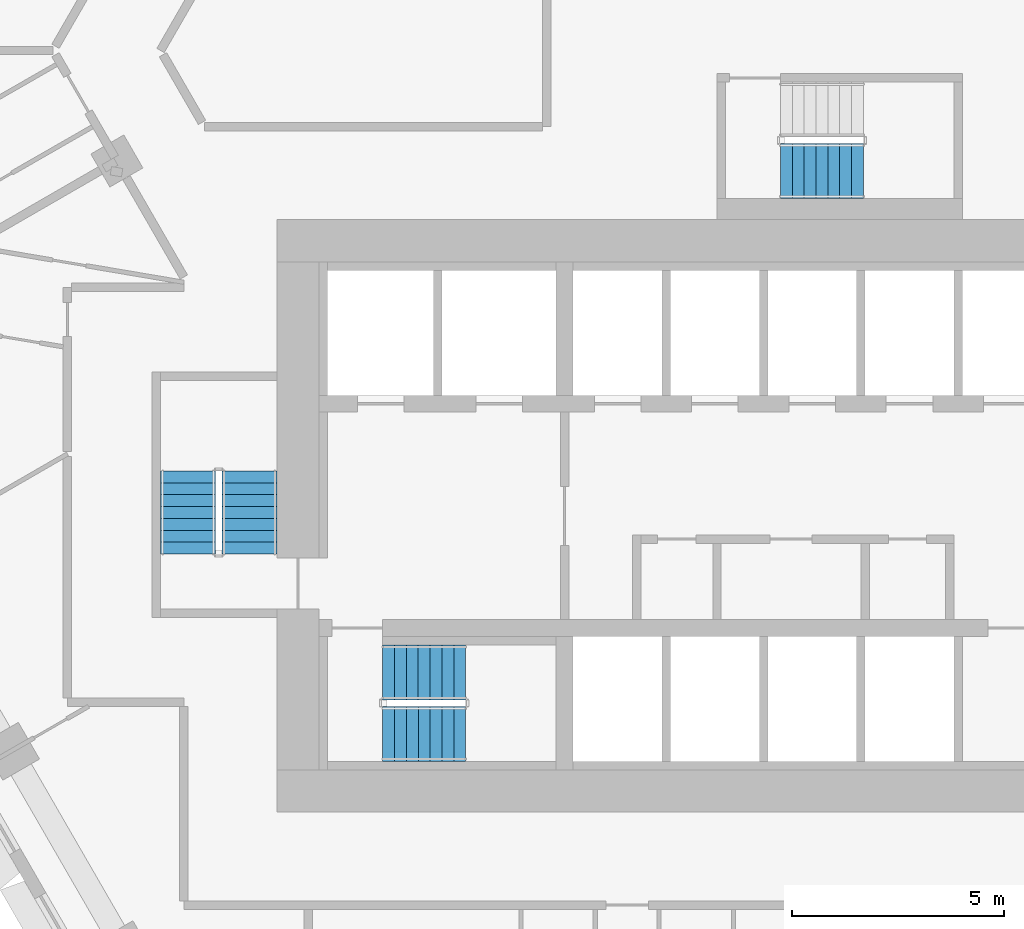
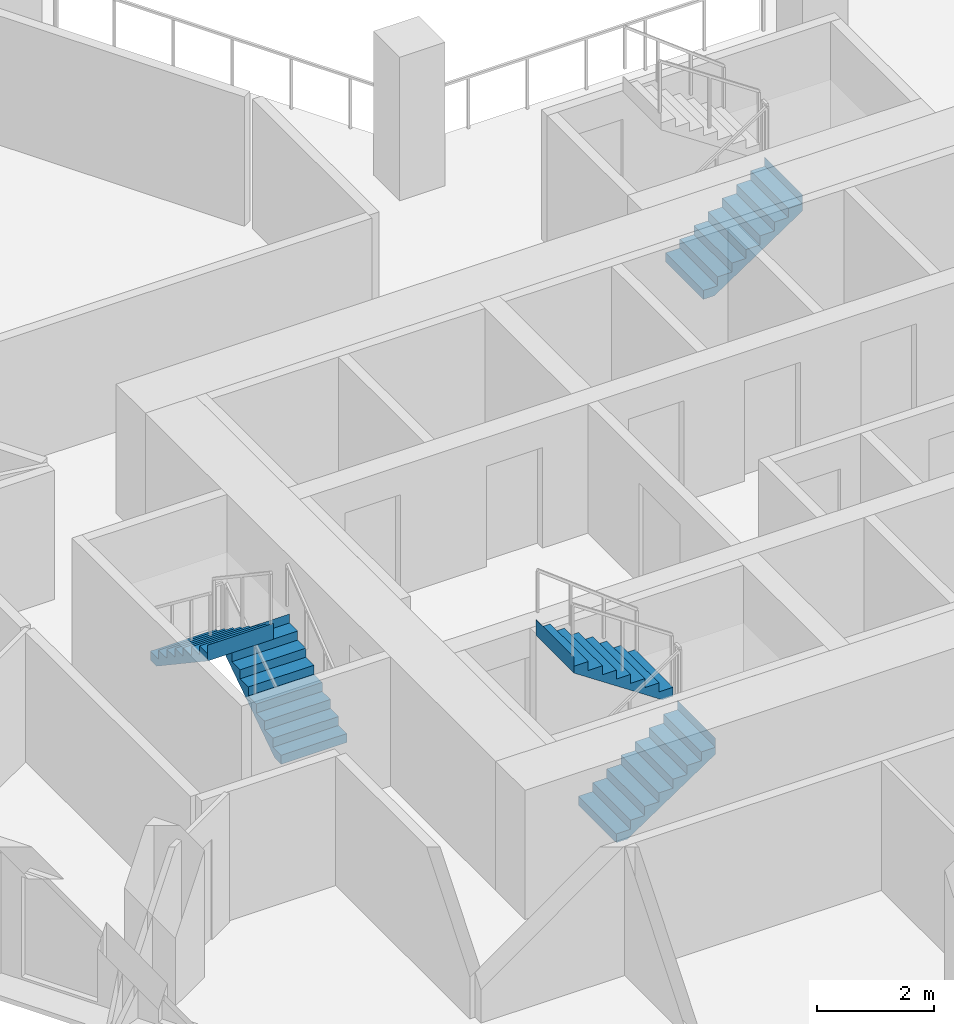
# One storey, part 13 of 18: 5 stair flights, 3 elements without a shape of their own.
"""IFC4 building model written with IfcOpenShell, lengths in metres."""

import ifcopenshell
import ifcopenshell.guid

model = None  # the IFC model being written
_history = None  # IfcOwnerHistory: only IFC2X3 demands one
_inside = {}  # id of a spatial element -> (the spatial element, [elements in it])
_under = {}  # id of a project, library or spatial element -> (it, [spatial elements below it])
_declared = {}  # id of a project -> (the project, [libraries it declares])
_typed = {}  # id of a type object -> (the type object, [elements of that type])
_made_of = {}  # id of a material, layer set ... -> (it, [elements and type objects made of it])


def new_model(schema):
    """Start an empty IFC model of exactly this schema.

    Asked for "IFC4X3", IfcOpenShell would pick the latest addendum, in which some entities
    have other attributes; the version numbers below select the first issue.
    IFC2X3 requires an IfcOwnerHistory on every rooted entity: one is made here for all.
    """
    global model, _history
    if schema == "IFC4X3":
        model = ifcopenshell.file(schema_version=(4, 3, 0, 0))
    else:
        model = ifcopenshell.file(schema=schema)
    _inside.clear()
    _under.clear()
    _declared.clear()
    _typed.clear()
    _made_of.clear()
    _history = None
    if model.schema == "IFC2X3":
        org = make("IfcOrganization", Name="unknown")
        user = make(
            "IfcPersonAndOrganization",
            ThePerson=make("IfcPerson", FamilyName="unknown"),
            TheOrganization=org,
        )
        app = make(
            "IfcApplication",
            ApplicationDeveloper=org,
            Version="unknown",
            ApplicationFullName="unknown",
            ApplicationIdentifier="unknown",
        )
        _history = make(
            "IfcOwnerHistory",
            OwningUser=user,
            OwningApplication=app,
            ChangeAction="ADDED",
            CreationDate=0,
        )
    return model


def make(cls, **values):
    """One entity of the class cls with the attributes given. An attribute that is None is left unset."""
    return model.create_entity(
        cls, **{name: value for name, value in values.items() if value is not None}
    )


def rooted(cls, **values):
    """An entity with a GlobalId (a new one), such as an element, a storey or a relation."""
    return make(cls, GlobalId=ifcopenshell.guid.new(), OwnerHistory=_history, **values)


def si_unit(unit_type, name, prefix=None):
    """IfcSIUnit, for example si_unit("LENGTHUNIT", "METRE", prefix="MILLI")."""
    return make("IfcSIUnit", UnitType=unit_type, Prefix=prefix, Name=name)


def assignment(units):
    """IfcUnitAssignment: the units of a project."""
    return None if units is None else make("IfcUnitAssignment", Units=units)


def point(xyz):
    """IfcCartesianPoint."""
    return None if xyz is None else make("IfcCartesianPoint", Coordinates=xyz)


def direction(xyz):
    """IfcDirection."""
    return None if xyz is None else make("IfcDirection", DirectionRatios=xyz)


def frame(location, z_axis=None, x_axis=None):
    """IfcAxis2Placement3D, a coordinate frame: its origin and axes. An axis left out is left unset."""
    return make(
        "IfcAxis2Placement3D",
        Location=point(location),
        Axis=direction(z_axis),
        RefDirection=direction(x_axis),
    )


def origin():
    """The frame at (0, 0, 0) with its axes left unset."""
    return frame((0.0, 0.0, 0.0))


def place(relative_to, where):
    """IfcLocalPlacement: puts the frame where relative to a parent placement (None: the world)."""
    return make(
        "IfcLocalPlacement", PlacementRelTo=relative_to, RelativePlacement=where
    )


def context(
    kind, dimensions, precision=None, world=None, true_north=None, identifier=None
):
    """IfcGeometricRepresentationContext, for example the 3D "Model" context."""
    return make(
        "IfcGeometricRepresentationContext",
        ContextIdentifier=identifier,
        ContextType=kind,
        CoordinateSpaceDimension=dimensions,
        Precision=precision,
        WorldCoordinateSystem=world,
        TrueNorth=true_north,
    )


def subcontext(parent, identifier, kind, view, scale=None):
    """IfcGeometricRepresentationSubContext, for example "Body" below "Model"."""
    return make(
        "IfcGeometricRepresentationSubContext",
        ContextIdentifier=identifier,
        ContextType=kind,
        ParentContext=parent,
        TargetScale=scale,
        TargetView=view,
    )


def project(units=None, contexts=None):
    """IfcProject with its units and contexts."""
    return rooted(
        "IfcProject",
        Name="project",
        RepresentationContexts=contexts,
        UnitsInContext=assignment(units),
    )


def spatial(cls, under=None, at=None, **own):
    """A site, building, storey or space (cls), placed at a placement, below another one or the project."""
    s = rooted(cls, ObjectPlacement=at, **own)
    if under is not None:
        _under.setdefault(under.id(), (under, []))[1].append(s)
    return s


def point_list(points):
    """IfcCartesianPointList2D or 3D."""
    cls = (
        "IfcCartesianPointList2D" if len(points[0]) == 2 else "IfcCartesianPointList3D"
    )
    return make(cls, CoordList=points)


def triangles(points, corners, closed=None, point_numbers=None):
    """IfcTriangulatedFaceSet: each triangle names its three corners, points numbered from 1."""
    return make(
        "IfcTriangulatedFaceSet",
        Coordinates=point_list(points),
        Closed=closed,
        CoordIndex=corners,
        PnIndex=point_numbers,
    )


def shape(context_of_items, identifier, shape_type, items):
    """IfcShapeRepresentation: the items that make up one representation, for example the "Body"."""
    return make(
        "IfcShapeRepresentation",
        ContextOfItems=context_of_items,
        RepresentationIdentifier=identifier,
        RepresentationType=shape_type,
        Items=items,
    )


def material(Name=None, Category=None):
    """IfcMaterial."""
    return make("IfcMaterial", Name=Name, Category=Category)


def made_of(thing, what):
    """Note that an element or type object is made of a material, layer set ...; save() writes the relation."""
    if what is not None:
        _made_of.setdefault(what.id(), (what, []))[1].append(thing)
    return thing


def type_object(cls, material=None, **own):
    """A type object (cls), such as IfcWallType, which elements share."""
    return made_of(rooted(cls, **own), material)


def element(
    cls,
    number,
    at=None,
    inside=None,
    cuts=None,
    type_object=None,
    material=None,
    context=None,
    identifier="Body",
    shape_type=None,
    held_by="IfcProductDefinitionShape",
    body=None,
    shapes=None,
    **own,
):
    """One element of the class cls, such as IfcWall. Its Tag is "e" and its number.

    at: its placement. inside: the storey or other place that contains it. cuts: it is an
    opening in that element (IfcRelVoidsElement). A single representation is given by context,
    identifier, shape_type and body (its items); several are given by shapes. held_by: the class
    of the entity that holds the representations. save() writes the other relations.
    """
    e = rooted(cls, Tag="e%d" % number, ObjectPlacement=at, **own)
    if body is not None:
        shapes = [shape(context, identifier, shape_type, body)]
    if shapes is not None:
        e.Representation = make(held_by, Representations=shapes)
    if inside is not None:
        _inside.setdefault(inside.id(), (inside, []))[1].append(e)
    if cuts is not None:
        rooted(
            "IfcRelVoidsElement", RelatingBuildingElement=cuts, RelatedOpeningElement=e
        )
    if type_object is not None:
        _typed.setdefault(type_object.id(), (type_object, []))[1].append(e)
    return made_of(e, material)


def aggregate(whole, parts):
    """IfcRelAggregates: a whole, such as a stair, and the parts it consists of."""
    return rooted("IfcRelAggregates", RelatingObject=whole, RelatedObjects=parts)


def save(model, path):
    """Write the relations noted so far, then the file.

    IfcRelAggregates (storeys below a building ...), IfcRelContainedInSpatialStructure (elements
    in a storey), IfcRelDefinesByType, IfcRelAssociatesMaterial and IfcRelDeclares: one each for
    every whole, place, type object, material and project.
    """
    for whole, parts in _under.values():
        aggregate(whole, parts)
    for where, things in _inside.values():
        rooted(
            "IfcRelContainedInSpatialStructure",
            RelatedElements=things,
            RelatingStructure=where,
        )
    for kind, things in _typed.values():
        rooted("IfcRelDefinesByType", RelatedObjects=things, RelatingType=kind)
    for what, things in _made_of.values():
        rooted("IfcRelAssociatesMaterial", RelatedObjects=things, RelatingMaterial=what)
    for by, libraries in _declared.values():
        rooted("IfcRelDeclares", RelatingContext=by, RelatedDefinitions=libraries)
    model.write(path)


model = new_model("IFC4")

# Units and contexts
model_context = context("Model", 3, precision=1e-05, world=origin(), true_north=direction((0.0, 1.0)))
body_context = subcontext(model_context, "Body", "Model", "MODEL_VIEW")
ifc_project = project(units=[si_unit("LENGTHUNIT", "METRE"), si_unit("AREAUNIT", "SQUARE_METRE"), si_unit("VOLUMEUNIT", "CUBIC_METRE"), si_unit("PLANEANGLEUNIT", "RADIAN"), si_unit("MASSUNIT", "GRAM", prefix="KILO")], contexts=[model_context])

# Site, building, storey
site_placement = place(None, origin())
site = spatial("IfcSite", under=ifc_project, at=site_placement, CompositionType="ELEMENT")
building_placement = place(site_placement, origin())
building = spatial("IfcBuilding", under=site, at=building_placement, Name="Beryl Residences", CompositionType="ELEMENT")
storey_placement = place(building_placement, frame((0.0, 0.0, 93.0)))
storey = spatial("IfcBuildingStorey", under=building, at=storey_placement, Name="L28", CompositionType="ELEMENT", Elevation=93.0)

# Stair, stair flights
ifc_material_1 = material(Name="Concrete C40/50", Category="concrete")
stair_type = type_object("IfcStairType", Name="ST1 protected exit stair, half-turn, 1300 mm flights", PredefinedType="HALF_TURN_STAIR", material=ifc_material_1)
stair_1_placement = place(storey_placement, origin())
stair_1 = element("IfcStair", 1, at=stair_1_placement, inside=storey, type_object=stair_type, Name="L28 PROTECTED EXIT STAIR ST-1", PredefinedType="HALF_TURN_STAIR")
ifc_material_2 = material(Name="Concrete C40/50", Category="concrete")
stair_flight_type = type_object("IfcStairFlightType", Name="SF1 stair flight 1300 mm", PredefinedType="STRAIGHT", material=ifc_material_2)
stair_flight_1_placement = place(storey_placement, frame((-10.800048828125, -17.14990234375, 0.0), z_axis=(0.0, 0.0, 1.0), x_axis=(1.0, 0.0, 0.0)))
stair_flight_1 = element("IfcStairFlight", 2, at=stair_flight_1_placement, type_object=stair_flight_type, Name="ST-1 flight 1", NumberOfRisers=8, NumberOfTreads=7, PredefinedType="STRAIGHT", RiserHeight=0.1875, TreadLength=0.28, context=body_context, shape_type="Tessellation", body=[
    triangles([(0.0, -0.64990234375, 0.0), (0.0, -0.324951171875, 0.0), (0.0, 0.0, 0.0), (0.0, 0.324951171875, 0.0), (0.0, 0.64990234375, 0.0), (0.0, -0.64990234375, 0.1875), (0.0, -0.324951171875, 0.1875), (0.0, 0.0, 0.1875), (0.0, 0.324951171875, 0.1875), (0.0, 0.64990234375, 0.1875), (0.280029296875, -0.64990234375, 0.1875), (0.280029296875, -0.324951171875, 0.1875), (0.280029296875, 0.0, 0.1875), (0.280029296875, 0.324951171875, 0.1875), (0.280029296875, 0.64990234375, 0.1875), (0.280029296875, -0.64990234375, 0.375), (0.280029296875, -0.324951171875, 0.375), (0.280029296875, 0.0, 0.375), (0.280029296875, 0.324951171875, 0.375), (0.280029296875, 0.64990234375, 0.375), (0.56005859375, -0.64990234375, 0.375), (0.56005859375, -0.324951171875, 0.375), (0.56005859375, 0.0, 0.375), (0.56005859375, 0.324951171875, 0.375), (0.56005859375, 0.64990234375, 0.375), (0.56005859375, -0.64990234375, 0.5625), (0.56005859375, -0.324951171875, 0.5625), (0.56005859375, 0.0, 0.5625), (0.56005859375, 0.324951171875, 0.5625), (0.56005859375, 0.64990234375, 0.5625), (0.840087890625, -0.64990234375, 0.5625), (0.840087890625, -0.324951171875, 0.5625), (0.840087890625, 0.0, 0.5625), (0.840087890625, 0.324951171875, 0.5625), (0.840087890625, 0.64990234375, 0.5625), (0.840087890625, -0.64990234375, 0.75), (0.840087890625, -0.324951171875, 0.75), (0.840087890625, 0.0, 0.75), (0.840087890625, 0.324951171875, 0.75), (0.840087890625, 0.64990234375, 0.75), (1.1201171875, -0.64990234375, 0.75), (1.1201171875, -0.324951171875, 0.75), (1.1201171875, 0.0, 0.75), (1.1201171875, 0.324951171875, 0.75), (1.1201171875, 0.64990234375, 0.75), (1.1201171875, -0.64990234375, 0.9375), (1.1201171875, -0.324951171875, 0.9375), (1.1201171875, 0.0, 0.9375), (1.1201171875, 0.324951171875, 0.9375), (1.1201171875, 0.64990234375, 0.9375), (1.39990234375, -0.64990234375, 0.9375), (1.39990234375, -0.324951171875, 0.9375), (1.39990234375, 0.0, 0.9375), (1.39990234375, 0.324951171875, 0.9375), (1.39990234375, 0.64990234375, 0.9375), (1.39990234375, -0.64990234375, 1.125), (1.39990234375, -0.324951171875, 1.125), (1.39990234375, 0.0, 1.125), (1.39990234375, 0.324951171875, 1.125), (1.39990234375, 0.64990234375, 1.125), (1.679931640625, -0.64990234375, 1.125), (1.679931640625, -0.324951171875, 1.125), (1.679931640625, 0.0, 1.125), (1.679931640625, 0.324951171875, 1.125), (1.679931640625, 0.64990234375, 1.125), (1.679931640625, -0.64990234375, 1.3125), (1.679931640625, -0.324951171875, 1.3125), (1.679931640625, 0.0, 1.3125), (1.679931640625, 0.324951171875, 1.3125), (1.679931640625, 0.64990234375, 1.3125), (1.9599609375, -0.64990234375, 1.3125), (1.9599609375, -0.324951171875, 1.3125), (1.9599609375, 0.0, 1.3125), (1.9599609375, 0.324951171875, 1.3125), (1.9599609375, 0.64990234375, 1.3125), (1.9599609375, -0.64990234375, 1.5), (1.9599609375, -0.324951171875, 1.5), (1.9599609375, 0.0, 1.5), (1.9599609375, 0.324951171875, 1.5), (1.9599609375, 0.64990234375, 1.5), (1.9609375, -0.64990234375, 1.5), (1.9609375, -0.324951171875, 1.5), (1.9609375, 0.0, 1.5), (1.9609375, 0.324951171875, 1.5), (1.9609375, 0.64990234375, 1.5), (1.9609375, -0.64990234375, 1.16796875), (1.9609375, -0.324951171875, 1.16796875), (1.9609375, 0.0, 1.16796875), (1.9609375, 0.324951171875, 1.16796875), (1.9609375, 0.64990234375, 1.16796875), (0.216796875, -0.64990234375, 0.0), (0.216796875, -0.324951171875, 0.0), (0.216796875, 0.0, 0.0), (0.216796875, 0.324951171875, 0.0), (0.216796875, 0.64990234375, 0.0)], [[1, 6, 7], [1, 7, 2], [2, 7, 8], [2, 8, 3], [3, 8, 9], [3, 9, 4], [4, 9, 10], [4, 10, 5], [6, 11, 12], [6, 12, 7], [7, 12, 13], [7, 13, 8], [8, 13, 14], [8, 14, 9], [9, 14, 15], [9, 15, 10], [11, 16, 17], [11, 17, 12], [12, 17, 18], [12, 18, 13], [13, 18, 19], [13, 19, 14], [14, 19, 20], [14, 20, 15], [16, 21, 22], [16, 22, 17], [17, 22, 23], [17, 23, 18], [18, 23, 24], [18, 24, 19], [19, 24, 25], [19, 25, 20], [21, 26, 27], [21, 27, 22], [22, 27, 28], [22, 28, 23], [23, 28, 29], [23, 29, 24], [24, 29, 30], [24, 30, 25], [26, 31, 32], [26, 32, 27], [27, 32, 33], [27, 33, 28], [28, 33, 34], [28, 34, 29], [29, 34, 35], [29, 35, 30], [31, 36, 37], [31, 37, 32], [32, 37, 38], [32, 38, 33], [33, 38, 39], [33, 39, 34], [34, 39, 40], [34, 40, 35], [36, 41, 42], [36, 42, 37], [37, 42, 43], [37, 43, 38], [38, 43, 44], [38, 44, 39], [39, 44, 45], [39, 45, 40], [41, 46, 47], [41, 47, 42], [42, 47, 48], [42, 48, 43], [43, 48, 49], [43, 49, 44], [44, 49, 50], [44, 50, 45], [46, 51, 52], [46, 52, 47], [47, 52, 53], [47, 53, 48], [48, 53, 54], [48, 54, 49], [49, 54, 55], [49, 55, 50], [51, 56, 57], [51, 57, 52], [52, 57, 58], [52, 58, 53], [53, 58, 59], [53, 59, 54], [54, 59, 60], [54, 60, 55], [56, 61, 62], [56, 62, 57], [57, 62, 63], [57, 63, 58], [58, 63, 64], [58, 64, 59], [59, 64, 65], [59, 65, 60], [61, 66, 67], [61, 67, 62], [62, 67, 68], [62, 68, 63], [63, 68, 69], [63, 69, 64], [64, 69, 70], [64, 70, 65], [66, 71, 72], [66, 72, 67], [67, 72, 73], [67, 73, 68], [68, 73, 74], [68, 74, 69], [69, 74, 75], [69, 75, 70], [71, 76, 77], [71, 77, 72], [72, 77, 78], [72, 78, 73], [73, 78, 79], [73, 79, 74], [74, 79, 80], [74, 80, 75], [76, 81, 82], [76, 82, 77], [77, 82, 83], [77, 83, 78], [78, 83, 84], [78, 84, 79], [79, 84, 85], [79, 85, 80], [81, 86, 87], [81, 87, 82], [82, 87, 88], [82, 88, 83], [83, 88, 89], [83, 89, 84], [84, 89, 90], [84, 90, 85], [86, 91, 92], [86, 92, 87], [87, 92, 93], [87, 93, 88], [88, 93, 94], [88, 94, 89], [89, 94, 95], [89, 95, 90], [91, 1, 2], [91, 2, 92], [92, 2, 3], [92, 3, 93], [93, 3, 4], [93, 4, 94], [94, 4, 5], [94, 5, 95], [1, 91, 86], [5, 90, 95], [86, 81, 76], [90, 80, 85], [86, 76, 71], [90, 75, 80], [86, 71, 66], [90, 70, 75], [86, 66, 61], [90, 65, 70], [61, 56, 51], [65, 55, 60], [86, 61, 51], [90, 55, 65], [51, 46, 41], [55, 45, 50], [86, 51, 41], [90, 45, 55], [41, 36, 31], [45, 35, 40], [86, 41, 31], [90, 35, 45], [31, 26, 21], [35, 25, 30], [86, 31, 21], [90, 25, 35], [21, 16, 11], [25, 15, 20], [86, 21, 11], [90, 15, 25], [1, 86, 11], [5, 15, 90], [11, 6, 1], [15, 5, 10]], closed=True),
])
stair_flight_2_placement = place(storey_placement, frame((-8.840087890625, -15.699951171875, 1.5), z_axis=(0.0, 0.0, 1.0), x_axis=(-1.0, 0.0, 0.0)))
stair_flight_2 = element("IfcStairFlight", 3, at=stair_flight_2_placement, type_object=stair_flight_type, Name="ST-1 flight 2", NumberOfRisers=8, NumberOfTreads=7, PredefinedType="STRAIGHT", RiserHeight=0.1875, TreadLength=0.28, context=body_context, shape_type="Tessellation", body=[
    triangles([(0.0, -0.64990234375, 0.0), (0.0, -0.324951171875, 0.0), (0.0, 0.0, 0.0), (0.0, 0.324951171875, 0.0), (0.0, 0.64990234375, 0.0), (0.0, -0.64990234375, 0.1875), (0.0, -0.324951171875, 0.1875), (0.0, 0.0, 0.1875), (0.0, 0.324951171875, 0.1875), (0.0, 0.64990234375, 0.1875), (0.280029296875, -0.64990234375, 0.1875), (0.280029296875, -0.324951171875, 0.1875), (0.280029296875, 0.0, 0.1875), (0.280029296875, 0.324951171875, 0.1875), (0.280029296875, 0.64990234375, 0.1875), (0.280029296875, -0.64990234375, 0.375), (0.280029296875, -0.324951171875, 0.375), (0.280029296875, 0.0, 0.375), (0.280029296875, 0.324951171875, 0.375), (0.280029296875, 0.64990234375, 0.375), (0.56005859375, -0.64990234375, 0.375), (0.56005859375, -0.324951171875, 0.375), (0.56005859375, 0.0, 0.375), (0.56005859375, 0.324951171875, 0.375), (0.56005859375, 0.64990234375, 0.375), (0.56005859375, -0.64990234375, 0.5625), (0.56005859375, -0.324951171875, 0.5625), (0.56005859375, 0.0, 0.5625), (0.56005859375, 0.324951171875, 0.5625), (0.56005859375, 0.64990234375, 0.5625), (0.840087890625, -0.64990234375, 0.5625), (0.840087890625, -0.324951171875, 0.5625), (0.840087890625, 0.0, 0.5625), (0.840087890625, 0.324951171875, 0.5625), (0.840087890625, 0.64990234375, 0.5625), (0.840087890625, -0.64990234375, 0.75), (0.840087890625, -0.324951171875, 0.75), (0.840087890625, 0.0, 0.75), (0.840087890625, 0.324951171875, 0.75), (0.840087890625, 0.64990234375, 0.75), (1.1201171875, -0.64990234375, 0.75), (1.1201171875, -0.324951171875, 0.75), (1.1201171875, 0.0, 0.75), (1.1201171875, 0.324951171875, 0.75), (1.1201171875, 0.64990234375, 0.75), (1.1201171875, -0.64990234375, 0.9375), (1.1201171875, -0.324951171875, 0.9375), (1.1201171875, 0.0, 0.9375), (1.1201171875, 0.324951171875, 0.9375), (1.1201171875, 0.64990234375, 0.9375), (1.39990234375, -0.64990234375, 0.9375), (1.39990234375, -0.324951171875, 0.9375), (1.39990234375, 0.0, 0.9375), (1.39990234375, 0.324951171875, 0.9375), (1.39990234375, 0.64990234375, 0.9375), (1.39990234375, -0.64990234375, 1.125), (1.39990234375, -0.324951171875, 1.125), (1.39990234375, 0.0, 1.125), (1.39990234375, 0.324951171875, 1.125), (1.39990234375, 0.64990234375, 1.125), (1.679931640625, -0.64990234375, 1.125), (1.679931640625, -0.324951171875, 1.125), (1.679931640625, 0.0, 1.125), (1.679931640625, 0.324951171875, 1.125), (1.679931640625, 0.64990234375, 1.125), (1.679931640625, -0.64990234375, 1.3125), (1.679931640625, -0.324951171875, 1.3125), (1.679931640625, 0.0, 1.3125), (1.679931640625, 0.324951171875, 1.3125), (1.679931640625, 0.64990234375, 1.3125), (1.9599609375, -0.64990234375, 1.3125), (1.9599609375, -0.324951171875, 1.3125), (1.9599609375, 0.0, 1.3125), (1.9599609375, 0.324951171875, 1.3125), (1.9599609375, 0.64990234375, 1.3125), (1.9599609375, -0.64990234375, 1.5), (1.9599609375, -0.324951171875, 1.5), (1.9599609375, 0.0, 1.5), (1.9599609375, 0.324951171875, 1.5), (1.9599609375, 0.64990234375, 1.5), (1.9609375, -0.64990234375, 1.5), (1.9609375, -0.324951171875, 1.5), (1.9609375, 0.0, 1.5), (1.9609375, 0.324951171875, 1.5), (1.9609375, 0.64990234375, 1.5), (1.9609375, -0.64990234375, 1.16796875), (1.9609375, -0.324951171875, 1.16796875), (1.9609375, 0.0, 1.16796875), (1.9609375, 0.324951171875, 1.16796875), (1.9609375, 0.64990234375, 1.16796875), (0.216796875, -0.64990234375, 0.0), (0.216796875, -0.324951171875, 0.0), (0.216796875, 0.0, 0.0), (0.216796875, 0.324951171875, 0.0), (0.216796875, 0.64990234375, 0.0)], [[1, 6, 7], [1, 7, 2], [2, 7, 8], [2, 8, 3], [3, 8, 9], [3, 9, 4], [4, 9, 10], [4, 10, 5], [6, 11, 12], [6, 12, 7], [7, 12, 13], [7, 13, 8], [8, 13, 14], [8, 14, 9], [9, 14, 15], [9, 15, 10], [11, 16, 17], [11, 17, 12], [12, 17, 18], [12, 18, 13], [13, 18, 19], [13, 19, 14], [14, 19, 20], [14, 20, 15], [16, 21, 22], [16, 22, 17], [17, 22, 23], [17, 23, 18], [18, 23, 24], [18, 24, 19], [19, 24, 25], [19, 25, 20], [21, 26, 27], [21, 27, 22], [22, 27, 28], [22, 28, 23], [23, 28, 29], [23, 29, 24], [24, 29, 30], [24, 30, 25], [26, 31, 32], [26, 32, 27], [27, 32, 33], [27, 33, 28], [28, 33, 34], [28, 34, 29], [29, 34, 35], [29, 35, 30], [31, 36, 37], [31, 37, 32], [32, 37, 38], [32, 38, 33], [33, 38, 39], [33, 39, 34], [34, 39, 40], [34, 40, 35], [36, 41, 42], [36, 42, 37], [37, 42, 43], [37, 43, 38], [38, 43, 44], [38, 44, 39], [39, 44, 45], [39, 45, 40], [41, 46, 47], [41, 47, 42], [42, 47, 48], [42, 48, 43], [43, 48, 49], [43, 49, 44], [44, 49, 50], [44, 50, 45], [46, 51, 52], [46, 52, 47], [47, 52, 53], [47, 53, 48], [48, 53, 54], [48, 54, 49], [49, 54, 55], [49, 55, 50], [51, 56, 57], [51, 57, 52], [52, 57, 58], [52, 58, 53], [53, 58, 59], [53, 59, 54], [54, 59, 60], [54, 60, 55], [56, 61, 62], [56, 62, 57], [57, 62, 63], [57, 63, 58], [58, 63, 64], [58, 64, 59], [59, 64, 65], [59, 65, 60], [61, 66, 67], [61, 67, 62], [62, 67, 68], [62, 68, 63], [63, 68, 69], [63, 69, 64], [64, 69, 70], [64, 70, 65], [66, 71, 72], [66, 72, 67], [67, 72, 73], [67, 73, 68], [68, 73, 74], [68, 74, 69], [69, 74, 75], [69, 75, 70], [71, 76, 77], [71, 77, 72], [72, 77, 78], [72, 78, 73], [73, 78, 79], [73, 79, 74], [74, 79, 80], [74, 80, 75], [76, 81, 82], [76, 82, 77], [77, 82, 83], [77, 83, 78], [78, 83, 84], [78, 84, 79], [79, 84, 85], [79, 85, 80], [81, 86, 87], [81, 87, 82], [82, 87, 88], [82, 88, 83], [83, 88, 89], [83, 89, 84], [84, 89, 90], [84, 90, 85], [86, 91, 92], [86, 92, 87], [87, 92, 93], [87, 93, 88], [88, 93, 94], [88, 94, 89], [89, 94, 95], [89, 95, 90], [91, 1, 2], [91, 2, 92], [92, 2, 3], [92, 3, 93], [93, 3, 4], [93, 4, 94], [94, 4, 5], [94, 5, 95], [1, 91, 86], [5, 90, 95], [86, 81, 76], [90, 80, 85], [86, 76, 71], [90, 75, 80], [86, 71, 66], [90, 70, 75], [86, 66, 61], [90, 65, 70], [61, 56, 51], [65, 55, 60], [86, 61, 51], [90, 55, 65], [51, 46, 41], [55, 45, 50], [86, 51, 41], [90, 45, 55], [41, 36, 31], [45, 35, 40], [86, 41, 31], [90, 35, 45], [31, 26, 21], [35, 25, 30], [86, 31, 21], [90, 25, 35], [21, 16, 11], [25, 15, 20], [86, 21, 11], [90, 15, 25], [1, 86, 11], [5, 15, 90], [11, 6, 1], [15, 5, 10]], closed=True),
])
aggregate(stair_1, [stair_flight_1, stair_flight_2])

stair_2_placement = place(storey_placement, origin())
stair_2 = element("IfcStair", 4, at=stair_2_placement, inside=storey, type_object=stair_type, Name="L28 PROTECTED EXIT STAIR ST-2", PredefinedType="HALF_TURN_STAIR")
stair_flight_3_placement = place(storey_placement, frame((-13.949951171875, -12.89990234375, 0.0), z_axis=(0.0, 0.0, 1.0), x_axis=(0.0, 1.0, 0.0)))
stair_flight_3 = element("IfcStairFlight", 5, at=stair_flight_3_placement, type_object=stair_flight_type, Name="ST-2 flight 1", NumberOfRisers=8, NumberOfTreads=7, PredefinedType="STRAIGHT", RiserHeight=0.1875, TreadLength=0.28, context=body_context, shape_type="Tessellation", body=[
    triangles([(0.0, -0.64990234375, 0.0), (0.0, -0.324951171875, 0.0), (0.0, 0.0, 0.0), (0.0, 0.324951171875, 0.0), (0.0, 0.64990234375, 0.0), (0.0, -0.64990234375, 0.1875), (0.0, -0.324951171875, 0.1875), (0.0, 0.0, 0.1875), (0.0, 0.324951171875, 0.1875), (0.0, 0.64990234375, 0.1875), (0.280029296875, -0.64990234375, 0.1875), (0.280029296875, -0.324951171875, 0.1875), (0.280029296875, 0.0, 0.1875), (0.280029296875, 0.324951171875, 0.1875), (0.280029296875, 0.64990234375, 0.1875), (0.280029296875, -0.64990234375, 0.375), (0.280029296875, -0.324951171875, 0.375), (0.280029296875, 0.0, 0.375), (0.280029296875, 0.324951171875, 0.375), (0.280029296875, 0.64990234375, 0.375), (0.56005859375, -0.64990234375, 0.375), (0.56005859375, -0.324951171875, 0.375), (0.56005859375, 0.0, 0.375), (0.56005859375, 0.324951171875, 0.375), (0.56005859375, 0.64990234375, 0.375), (0.56005859375, -0.64990234375, 0.5625), (0.56005859375, -0.324951171875, 0.5625), (0.56005859375, 0.0, 0.5625), (0.56005859375, 0.324951171875, 0.5625), (0.56005859375, 0.64990234375, 0.5625), (0.840087890625, -0.64990234375, 0.5625), (0.840087890625, -0.324951171875, 0.5625), (0.840087890625, 0.0, 0.5625), (0.840087890625, 0.324951171875, 0.5625), (0.840087890625, 0.64990234375, 0.5625), (0.840087890625, -0.64990234375, 0.75), (0.840087890625, -0.324951171875, 0.75), (0.840087890625, 0.0, 0.75), (0.840087890625, 0.324951171875, 0.75), (0.840087890625, 0.64990234375, 0.75), (1.1201171875, -0.64990234375, 0.75), (1.1201171875, -0.324951171875, 0.75), (1.1201171875, 0.0, 0.75), (1.1201171875, 0.324951171875, 0.75), (1.1201171875, 0.64990234375, 0.75), (1.1201171875, -0.64990234375, 0.9375), (1.1201171875, -0.324951171875, 0.9375), (1.1201171875, 0.0, 0.9375), (1.1201171875, 0.324951171875, 0.9375), (1.1201171875, 0.64990234375, 0.9375), (1.39990234375, -0.64990234375, 0.9375), (1.39990234375, -0.324951171875, 0.9375), (1.39990234375, 0.0, 0.9375), (1.39990234375, 0.324951171875, 0.9375), (1.39990234375, 0.64990234375, 0.9375), (1.39990234375, -0.64990234375, 1.125), (1.39990234375, -0.324951171875, 1.125), (1.39990234375, 0.0, 1.125), (1.39990234375, 0.324951171875, 1.125), (1.39990234375, 0.64990234375, 1.125), (1.679931640625, -0.64990234375, 1.125), (1.679931640625, -0.324951171875, 1.125), (1.679931640625, 0.0, 1.125), (1.679931640625, 0.324951171875, 1.125), (1.679931640625, 0.64990234375, 1.125), (1.679931640625, -0.64990234375, 1.3125), (1.679931640625, -0.324951171875, 1.3125), (1.679931640625, 0.0, 1.3125), (1.679931640625, 0.324951171875, 1.3125), (1.679931640625, 0.64990234375, 1.3125), (1.9599609375, -0.64990234375, 1.3125), (1.9599609375, -0.324951171875, 1.3125), (1.9599609375, 0.0, 1.3125), (1.9599609375, 0.324951171875, 1.3125), (1.9599609375, 0.64990234375, 1.3125), (1.9599609375, -0.64990234375, 1.5), (1.9599609375, -0.324951171875, 1.5), (1.9599609375, 0.0, 1.5), (1.9599609375, 0.324951171875, 1.5), (1.9599609375, 0.64990234375, 1.5), (1.9609375, -0.64990234375, 1.5), (1.9609375, -0.324951171875, 1.5), (1.9609375, 0.0, 1.5), (1.9609375, 0.324951171875, 1.5), (1.9609375, 0.64990234375, 1.5), (1.9609375, -0.64990234375, 1.16796875), (1.9609375, -0.324951171875, 1.16796875), (1.9609375, 0.0, 1.16796875), (1.9609375, 0.324951171875, 1.16796875), (1.9609375, 0.64990234375, 1.16796875), (0.216796875, -0.64990234375, 0.0), (0.216796875, -0.324951171875, 0.0), (0.216796875, 0.0, 0.0), (0.216796875, 0.324951171875, 0.0), (0.216796875, 0.64990234375, 0.0)], [[1, 6, 7], [1, 7, 2], [2, 7, 8], [2, 8, 3], [3, 8, 9], [3, 9, 4], [4, 9, 10], [4, 10, 5], [6, 11, 12], [6, 12, 7], [7, 12, 13], [7, 13, 8], [8, 13, 14], [8, 14, 9], [9, 14, 15], [9, 15, 10], [11, 16, 17], [11, 17, 12], [12, 17, 18], [12, 18, 13], [13, 18, 19], [13, 19, 14], [14, 19, 20], [14, 20, 15], [16, 21, 22], [16, 22, 17], [17, 22, 23], [17, 23, 18], [18, 23, 24], [18, 24, 19], [19, 24, 25], [19, 25, 20], [21, 26, 27], [21, 27, 22], [22, 27, 28], [22, 28, 23], [23, 28, 29], [23, 29, 24], [24, 29, 30], [24, 30, 25], [26, 31, 32], [26, 32, 27], [27, 32, 33], [27, 33, 28], [28, 33, 34], [28, 34, 29], [29, 34, 35], [29, 35, 30], [31, 36, 37], [31, 37, 32], [32, 37, 38], [32, 38, 33], [33, 38, 39], [33, 39, 34], [34, 39, 40], [34, 40, 35], [36, 41, 42], [36, 42, 37], [37, 42, 43], [37, 43, 38], [38, 43, 44], [38, 44, 39], [39, 44, 45], [39, 45, 40], [41, 46, 47], [41, 47, 42], [42, 47, 48], [42, 48, 43], [43, 48, 49], [43, 49, 44], [44, 49, 50], [44, 50, 45], [46, 51, 52], [46, 52, 47], [47, 52, 53], [47, 53, 48], [48, 53, 54], [48, 54, 49], [49, 54, 55], [49, 55, 50], [51, 56, 57], [51, 57, 52], [52, 57, 58], [52, 58, 53], [53, 58, 59], [53, 59, 54], [54, 59, 60], [54, 60, 55], [56, 61, 62], [56, 62, 57], [57, 62, 63], [57, 63, 58], [58, 63, 64], [58, 64, 59], [59, 64, 65], [59, 65, 60], [61, 66, 67], [61, 67, 62], [62, 67, 68], [62, 68, 63], [63, 68, 69], [63, 69, 64], [64, 69, 70], [64, 70, 65], [66, 71, 72], [66, 72, 67], [67, 72, 73], [67, 73, 68], [68, 73, 74], [68, 74, 69], [69, 74, 75], [69, 75, 70], [71, 76, 77], [71, 77, 72], [72, 77, 78], [72, 78, 73], [73, 78, 79], [73, 79, 74], [74, 79, 80], [74, 80, 75], [76, 81, 82], [76, 82, 77], [77, 82, 83], [77, 83, 78], [78, 83, 84], [78, 84, 79], [79, 84, 85], [79, 85, 80], [81, 86, 87], [81, 87, 82], [82, 87, 88], [82, 88, 83], [83, 88, 89], [83, 89, 84], [84, 89, 90], [84, 90, 85], [86, 91, 92], [86, 92, 87], [87, 92, 93], [87, 93, 88], [88, 93, 94], [88, 94, 89], [89, 94, 95], [89, 95, 90], [91, 1, 2], [91, 2, 92], [92, 2, 3], [92, 3, 93], [93, 3, 4], [93, 4, 94], [94, 4, 5], [94, 5, 95], [1, 91, 86], [5, 90, 95], [86, 81, 76], [90, 80, 85], [86, 76, 71], [90, 75, 80], [86, 71, 66], [90, 70, 75], [86, 66, 61], [90, 65, 70], [61, 56, 51], [65, 55, 60], [86, 61, 51], [90, 55, 65], [51, 46, 41], [55, 45, 50], [86, 51, 41], [90, 45, 55], [41, 36, 31], [45, 35, 40], [86, 41, 31], [90, 35, 45], [31, 26, 21], [35, 25, 30], [86, 31, 21], [90, 25, 35], [21, 16, 11], [25, 15, 20], [86, 21, 11], [90, 15, 25], [1, 86, 11], [5, 15, 90], [11, 6, 1], [15, 5, 10]], closed=True),
])
stair_flight_4_placement = place(storey_placement, frame((-15.39990234375, -10.93994140625, 1.5), z_axis=(0.0, 0.0, 1.0), x_axis=(0.0, -1.0, 0.0)))
stair_flight_4 = element("IfcStairFlight", 6, at=stair_flight_4_placement, type_object=stair_flight_type, Name="ST-2 flight 2", NumberOfRisers=8, NumberOfTreads=7, PredefinedType="STRAIGHT", RiserHeight=0.1875, TreadLength=0.28, context=body_context, shape_type="Tessellation", body=[
    triangles([(0.0, -0.64990234375, 0.0), (0.0, -0.324951171875, 0.0), (0.0, 0.0, 0.0), (0.0, 0.324951171875, 0.0), (0.0, 0.64990234375, 0.0), (0.0, -0.64990234375, 0.1875), (0.0, -0.324951171875, 0.1875), (0.0, 0.0, 0.1875), (0.0, 0.324951171875, 0.1875), (0.0, 0.64990234375, 0.1875), (0.280029296875, -0.64990234375, 0.1875), (0.280029296875, -0.324951171875, 0.1875), (0.280029296875, 0.0, 0.1875), (0.280029296875, 0.324951171875, 0.1875), (0.280029296875, 0.64990234375, 0.1875), (0.280029296875, -0.64990234375, 0.375), (0.280029296875, -0.324951171875, 0.375), (0.280029296875, 0.0, 0.375), (0.280029296875, 0.324951171875, 0.375), (0.280029296875, 0.64990234375, 0.375), (0.56005859375, -0.64990234375, 0.375), (0.56005859375, -0.324951171875, 0.375), (0.56005859375, 0.0, 0.375), (0.56005859375, 0.324951171875, 0.375), (0.56005859375, 0.64990234375, 0.375), (0.56005859375, -0.64990234375, 0.5625), (0.56005859375, -0.324951171875, 0.5625), (0.56005859375, 0.0, 0.5625), (0.56005859375, 0.324951171875, 0.5625), (0.56005859375, 0.64990234375, 0.5625), (0.840087890625, -0.64990234375, 0.5625), (0.840087890625, -0.324951171875, 0.5625), (0.840087890625, 0.0, 0.5625), (0.840087890625, 0.324951171875, 0.5625), (0.840087890625, 0.64990234375, 0.5625), (0.840087890625, -0.64990234375, 0.75), (0.840087890625, -0.324951171875, 0.75), (0.840087890625, 0.0, 0.75), (0.840087890625, 0.324951171875, 0.75), (0.840087890625, 0.64990234375, 0.75), (1.1201171875, -0.64990234375, 0.75), (1.1201171875, -0.324951171875, 0.75), (1.1201171875, 0.0, 0.75), (1.1201171875, 0.324951171875, 0.75), (1.1201171875, 0.64990234375, 0.75), (1.1201171875, -0.64990234375, 0.9375), (1.1201171875, -0.324951171875, 0.9375), (1.1201171875, 0.0, 0.9375), (1.1201171875, 0.324951171875, 0.9375), (1.1201171875, 0.64990234375, 0.9375), (1.39990234375, -0.64990234375, 0.9375), (1.39990234375, -0.324951171875, 0.9375), (1.39990234375, 0.0, 0.9375), (1.39990234375, 0.324951171875, 0.9375), (1.39990234375, 0.64990234375, 0.9375), (1.39990234375, -0.64990234375, 1.125), (1.39990234375, -0.324951171875, 1.125), (1.39990234375, 0.0, 1.125), (1.39990234375, 0.324951171875, 1.125), (1.39990234375, 0.64990234375, 1.125), (1.679931640625, -0.64990234375, 1.125), (1.679931640625, -0.324951171875, 1.125), (1.679931640625, 0.0, 1.125), (1.679931640625, 0.324951171875, 1.125), (1.679931640625, 0.64990234375, 1.125), (1.679931640625, -0.64990234375, 1.3125), (1.679931640625, -0.324951171875, 1.3125), (1.679931640625, 0.0, 1.3125), (1.679931640625, 0.324951171875, 1.3125), (1.679931640625, 0.64990234375, 1.3125), (1.9599609375, -0.64990234375, 1.3125), (1.9599609375, -0.324951171875, 1.3125), (1.9599609375, 0.0, 1.3125), (1.9599609375, 0.324951171875, 1.3125), (1.9599609375, 0.64990234375, 1.3125), (1.9599609375, -0.64990234375, 1.5), (1.9599609375, -0.324951171875, 1.5), (1.9599609375, 0.0, 1.5), (1.9599609375, 0.324951171875, 1.5), (1.9599609375, 0.64990234375, 1.5), (1.9609375, -0.64990234375, 1.5), (1.9609375, -0.324951171875, 1.5), (1.9609375, 0.0, 1.5), (1.9609375, 0.324951171875, 1.5), (1.9609375, 0.64990234375, 1.5), (1.9609375, -0.64990234375, 1.16796875), (1.9609375, -0.324951171875, 1.16796875), (1.9609375, 0.0, 1.16796875), (1.9609375, 0.324951171875, 1.16796875), (1.9609375, 0.64990234375, 1.16796875), (0.216796875, -0.64990234375, 0.0), (0.216796875, -0.324951171875, 0.0), (0.216796875, 0.0, 0.0), (0.216796875, 0.324951171875, 0.0), (0.216796875, 0.64990234375, 0.0)], [[1, 6, 7], [1, 7, 2], [2, 7, 8], [2, 8, 3], [3, 8, 9], [3, 9, 4], [4, 9, 10], [4, 10, 5], [6, 11, 12], [6, 12, 7], [7, 12, 13], [7, 13, 8], [8, 13, 14], [8, 14, 9], [9, 14, 15], [9, 15, 10], [11, 16, 17], [11, 17, 12], [12, 17, 18], [12, 18, 13], [13, 18, 19], [13, 19, 14], [14, 19, 20], [14, 20, 15], [16, 21, 22], [16, 22, 17], [17, 22, 23], [17, 23, 18], [18, 23, 24], [18, 24, 19], [19, 24, 25], [19, 25, 20], [21, 26, 27], [21, 27, 22], [22, 27, 28], [22, 28, 23], [23, 28, 29], [23, 29, 24], [24, 29, 30], [24, 30, 25], [26, 31, 32], [26, 32, 27], [27, 32, 33], [27, 33, 28], [28, 33, 34], [28, 34, 29], [29, 34, 35], [29, 35, 30], [31, 36, 37], [31, 37, 32], [32, 37, 38], [32, 38, 33], [33, 38, 39], [33, 39, 34], [34, 39, 40], [34, 40, 35], [36, 41, 42], [36, 42, 37], [37, 42, 43], [37, 43, 38], [38, 43, 44], [38, 44, 39], [39, 44, 45], [39, 45, 40], [41, 46, 47], [41, 47, 42], [42, 47, 48], [42, 48, 43], [43, 48, 49], [43, 49, 44], [44, 49, 50], [44, 50, 45], [46, 51, 52], [46, 52, 47], [47, 52, 53], [47, 53, 48], [48, 53, 54], [48, 54, 49], [49, 54, 55], [49, 55, 50], [51, 56, 57], [51, 57, 52], [52, 57, 58], [52, 58, 53], [53, 58, 59], [53, 59, 54], [54, 59, 60], [54, 60, 55], [56, 61, 62], [56, 62, 57], [57, 62, 63], [57, 63, 58], [58, 63, 64], [58, 64, 59], [59, 64, 65], [59, 65, 60], [61, 66, 67], [61, 67, 62], [62, 67, 68], [62, 68, 63], [63, 68, 69], [63, 69, 64], [64, 69, 70], [64, 70, 65], [66, 71, 72], [66, 72, 67], [67, 72, 73], [67, 73, 68], [68, 73, 74], [68, 74, 69], [69, 74, 75], [69, 75, 70], [71, 76, 77], [71, 77, 72], [72, 77, 78], [72, 78, 73], [73, 78, 79], [73, 79, 74], [74, 79, 80], [74, 80, 75], [76, 81, 82], [76, 82, 77], [77, 82, 83], [77, 83, 78], [78, 83, 84], [78, 84, 79], [79, 84, 85], [79, 85, 80], [81, 86, 87], [81, 87, 82], [82, 87, 88], [82, 88, 83], [83, 88, 89], [83, 89, 84], [84, 89, 90], [84, 90, 85], [86, 91, 92], [86, 92, 87], [87, 92, 93], [87, 93, 88], [88, 93, 94], [88, 94, 89], [89, 94, 95], [89, 95, 90], [91, 1, 2], [91, 2, 92], [92, 2, 3], [92, 3, 93], [93, 3, 4], [93, 4, 94], [94, 4, 5], [94, 5, 95], [1, 91, 86], [5, 90, 95], [86, 81, 76], [90, 80, 85], [86, 76, 71], [90, 75, 80], [86, 71, 66], [90, 70, 75], [86, 66, 61], [90, 65, 70], [61, 56, 51], [65, 55, 60], [86, 61, 51], [90, 55, 65], [51, 46, 41], [55, 45, 50], [86, 51, 41], [90, 45, 55], [41, 36, 31], [45, 35, 40], [86, 41, 31], [90, 35, 45], [31, 26, 21], [35, 25, 30], [86, 31, 21], [90, 25, 35], [21, 16, 11], [25, 15, 20], [86, 21, 11], [90, 15, 25], [1, 86, 11], [5, 15, 90], [11, 6, 1], [15, 5, 10]], closed=True),
])
aggregate(stair_2, [stair_flight_3, stair_flight_4])

# Stair, stair flight
stair_3_placement = place(storey_placement, origin())
stair_3 = element("IfcStair", 7, at=stair_3_placement, inside=storey, type_object=stair_type, Name="L28 PROTECTED EXIT STAIR ST-4", PredefinedType="HALF_TURN_STAIR")
stair_flight_5_placement = place(storey_placement, frame((-1.39990234375, -3.85009765625, 0.0), z_axis=(0.0, 0.0, 1.0), x_axis=(1.0, 0.0, 0.0)))
stair_flight_5 = element("IfcStairFlight", 8, at=stair_flight_5_placement, type_object=stair_flight_type, Name="ST-4 flight 1", NumberOfRisers=8, NumberOfTreads=7, PredefinedType="STRAIGHT", RiserHeight=0.1875, TreadLength=0.28, context=body_context, shape_type="Tessellation", body=[
    triangles([(0.0, -0.64990234375, 0.0), (0.0, -0.324951171875, 0.0), (0.0, 0.0, 0.0), (0.0, 0.324951171875, 0.0), (0.0, 0.64990234375, 0.0), (0.0, -0.64990234375, 0.1875), (0.0, -0.324951171875, 0.1875), (0.0, 0.0, 0.1875), (0.0, 0.324951171875, 0.1875), (0.0, 0.64990234375, 0.1875), (0.280029296875, -0.64990234375, 0.1875), (0.280029296875, -0.324951171875, 0.1875), (0.280029296875, 0.0, 0.1875), (0.280029296875, 0.324951171875, 0.1875), (0.280029296875, 0.64990234375, 0.1875), (0.280029296875, -0.64990234375, 0.375), (0.280029296875, -0.324951171875, 0.375), (0.280029296875, 0.0, 0.375), (0.280029296875, 0.324951171875, 0.375), (0.280029296875, 0.64990234375, 0.375), (0.56005859375, -0.64990234375, 0.375), (0.56005859375, -0.324951171875, 0.375), (0.56005859375, 0.0, 0.375), (0.56005859375, 0.324951171875, 0.375), (0.56005859375, 0.64990234375, 0.375), (0.56005859375, -0.64990234375, 0.5625), (0.56005859375, -0.324951171875, 0.5625), (0.56005859375, 0.0, 0.5625), (0.56005859375, 0.324951171875, 0.5625), (0.56005859375, 0.64990234375, 0.5625), (0.840087890625, -0.64990234375, 0.5625), (0.840087890625, -0.324951171875, 0.5625), (0.840087890625, 0.0, 0.5625), (0.840087890625, 0.324951171875, 0.5625), (0.840087890625, 0.64990234375, 0.5625), (0.840087890625, -0.64990234375, 0.75), (0.840087890625, -0.324951171875, 0.75), (0.840087890625, 0.0, 0.75), (0.840087890625, 0.324951171875, 0.75), (0.840087890625, 0.64990234375, 0.75), (1.1201171875, -0.64990234375, 0.75), (1.1201171875, -0.324951171875, 0.75), (1.1201171875, 0.0, 0.75), (1.1201171875, 0.324951171875, 0.75), (1.1201171875, 0.64990234375, 0.75), (1.1201171875, -0.64990234375, 0.9375), (1.1201171875, -0.324951171875, 0.9375), (1.1201171875, 0.0, 0.9375), (1.1201171875, 0.324951171875, 0.9375), (1.1201171875, 0.64990234375, 0.9375), (1.39990234375, -0.64990234375, 0.9375), (1.39990234375, -0.324951171875, 0.9375), (1.39990234375, 0.0, 0.9375), (1.39990234375, 0.324951171875, 0.9375), (1.39990234375, 0.64990234375, 0.9375), (1.39990234375, -0.64990234375, 1.125), (1.39990234375, -0.324951171875, 1.125), (1.39990234375, 0.0, 1.125), (1.39990234375, 0.324951171875, 1.125), (1.39990234375, 0.64990234375, 1.125), (1.679931640625, -0.64990234375, 1.125), (1.679931640625, -0.324951171875, 1.125), (1.679931640625, 0.0, 1.125), (1.679931640625, 0.324951171875, 1.125), (1.679931640625, 0.64990234375, 1.125), (1.679931640625, -0.64990234375, 1.3125), (1.679931640625, -0.324951171875, 1.3125), (1.679931640625, 0.0, 1.3125), (1.679931640625, 0.324951171875, 1.3125), (1.679931640625, 0.64990234375, 1.3125), (1.9599609375, -0.64990234375, 1.3125), (1.9599609375, -0.324951171875, 1.3125), (1.9599609375, 0.0, 1.3125), (1.9599609375, 0.324951171875, 1.3125), (1.9599609375, 0.64990234375, 1.3125), (1.9599609375, -0.64990234375, 1.5), (1.9599609375, -0.324951171875, 1.5), (1.9599609375, 0.0, 1.5), (1.9599609375, 0.324951171875, 1.5), (1.9599609375, 0.64990234375, 1.5), (1.9609375, -0.64990234375, 1.5), (1.9609375, -0.324951171875, 1.5), (1.9609375, 0.0, 1.5), (1.9609375, 0.324951171875, 1.5), (1.9609375, 0.64990234375, 1.5), (1.9609375, -0.64990234375, 1.16796875), (1.9609375, -0.324951171875, 1.16796875), (1.9609375, 0.0, 1.16796875), (1.9609375, 0.324951171875, 1.16796875), (1.9609375, 0.64990234375, 1.16796875), (0.216796875, -0.64990234375, 0.0), (0.216796875, -0.324951171875, 0.0), (0.216796875, 0.0, 0.0), (0.216796875, 0.324951171875, 0.0), (0.216796875, 0.64990234375, 0.0)], [[1, 6, 7], [1, 7, 2], [2, 7, 8], [2, 8, 3], [3, 8, 9], [3, 9, 4], [4, 9, 10], [4, 10, 5], [6, 11, 12], [6, 12, 7], [7, 12, 13], [7, 13, 8], [8, 13, 14], [8, 14, 9], [9, 14, 15], [9, 15, 10], [11, 16, 17], [11, 17, 12], [12, 17, 18], [12, 18, 13], [13, 18, 19], [13, 19, 14], [14, 19, 20], [14, 20, 15], [16, 21, 22], [16, 22, 17], [17, 22, 23], [17, 23, 18], [18, 23, 24], [18, 24, 19], [19, 24, 25], [19, 25, 20], [21, 26, 27], [21, 27, 22], [22, 27, 28], [22, 28, 23], [23, 28, 29], [23, 29, 24], [24, 29, 30], [24, 30, 25], [26, 31, 32], [26, 32, 27], [27, 32, 33], [27, 33, 28], [28, 33, 34], [28, 34, 29], [29, 34, 35], [29, 35, 30], [31, 36, 37], [31, 37, 32], [32, 37, 38], [32, 38, 33], [33, 38, 39], [33, 39, 34], [34, 39, 40], [34, 40, 35], [36, 41, 42], [36, 42, 37], [37, 42, 43], [37, 43, 38], [38, 43, 44], [38, 44, 39], [39, 44, 45], [39, 45, 40], [41, 46, 47], [41, 47, 42], [42, 47, 48], [42, 48, 43], [43, 48, 49], [43, 49, 44], [44, 49, 50], [44, 50, 45], [46, 51, 52], [46, 52, 47], [47, 52, 53], [47, 53, 48], [48, 53, 54], [48, 54, 49], [49, 54, 55], [49, 55, 50], [51, 56, 57], [51, 57, 52], [52, 57, 58], [52, 58, 53], [53, 58, 59], [53, 59, 54], [54, 59, 60], [54, 60, 55], [56, 61, 62], [56, 62, 57], [57, 62, 63], [57, 63, 58], [58, 63, 64], [58, 64, 59], [59, 64, 65], [59, 65, 60], [61, 66, 67], [61, 67, 62], [62, 67, 68], [62, 68, 63], [63, 68, 69], [63, 69, 64], [64, 69, 70], [64, 70, 65], [66, 71, 72], [66, 72, 67], [67, 72, 73], [67, 73, 68], [68, 73, 74], [68, 74, 69], [69, 74, 75], [69, 75, 70], [71, 76, 77], [71, 77, 72], [72, 77, 78], [72, 78, 73], [73, 78, 79], [73, 79, 74], [74, 79, 80], [74, 80, 75], [76, 81, 82], [76, 82, 77], [77, 82, 83], [77, 83, 78], [78, 83, 84], [78, 84, 79], [79, 84, 85], [79, 85, 80], [81, 86, 87], [81, 87, 82], [82, 87, 88], [82, 88, 83], [83, 88, 89], [83, 89, 84], [84, 89, 90], [84, 90, 85], [86, 91, 92], [86, 92, 87], [87, 92, 93], [87, 93, 88], [88, 93, 94], [88, 94, 89], [89, 94, 95], [89, 95, 90], [91, 1, 2], [91, 2, 92], [92, 2, 3], [92, 3, 93], [93, 3, 4], [93, 4, 94], [94, 4, 5], [94, 5, 95], [1, 91, 86], [5, 90, 95], [86, 81, 76], [90, 80, 85], [86, 76, 71], [90, 75, 80], [86, 71, 66], [90, 70, 75], [86, 66, 61], [90, 65, 70], [61, 56, 51], [65, 55, 60], [86, 61, 51], [90, 55, 65], [51, 46, 41], [55, 45, 50], [86, 51, 41], [90, 45, 55], [41, 36, 31], [45, 35, 40], [86, 41, 31], [90, 35, 45], [31, 26, 21], [35, 25, 30], [86, 31, 21], [90, 25, 35], [21, 16, 11], [25, 15, 20], [86, 21, 11], [90, 15, 25], [1, 86, 11], [5, 15, 90], [11, 6, 1], [15, 5, 10]], closed=True),
])
aggregate(stair_3, [stair_flight_5])

save(model, "model.ifc")
